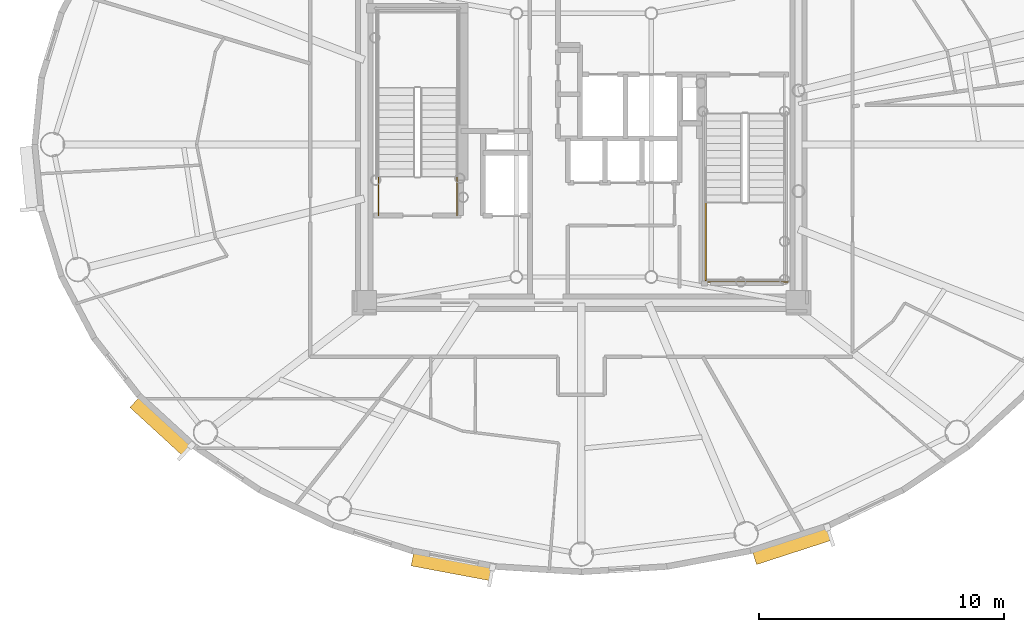
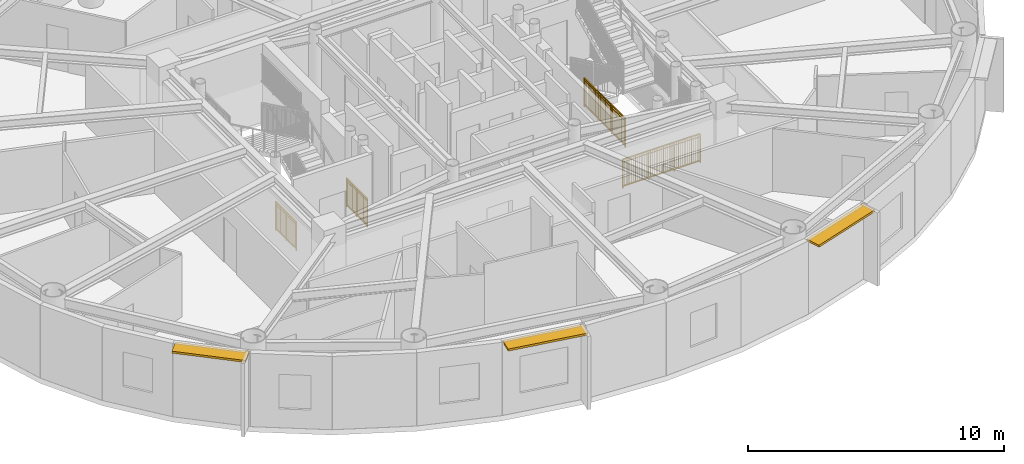
# One storey, part 11 of 17: 4 railings, 3 shading devices.
"""IFC4 building model written with IfcOpenShell, lengths in metres."""

import ifcopenshell
import ifcopenshell.guid

model = None  # the IFC model being written
_history = None  # IfcOwnerHistory: only IFC2X3 demands one
_inside = {}  # id of a spatial element -> (the spatial element, [elements in it])
_under = {}  # id of a project, library or spatial element -> (it, [spatial elements below it])
_declared = {}  # id of a project -> (the project, [libraries it declares])
_typed = {}  # id of a type object -> (the type object, [elements of that type])
_made_of = {}  # id of a material, layer set ... -> (it, [elements and type objects made of it])


def new_model(schema):
    """Start an empty IFC model of exactly this schema.

    Asked for "IFC4X3", IfcOpenShell would pick the latest addendum, in which some entities
    have other attributes; the version numbers below select the first issue.
    IFC2X3 requires an IfcOwnerHistory on every rooted entity: one is made here for all.
    """
    global model, _history
    if schema == "IFC4X3":
        model = ifcopenshell.file(schema_version=(4, 3, 0, 0))
    else:
        model = ifcopenshell.file(schema=schema)
    _inside.clear()
    _under.clear()
    _declared.clear()
    _typed.clear()
    _made_of.clear()
    _history = None
    if model.schema == "IFC2X3":
        org = make("IfcOrganization", Name="unknown")
        user = make(
            "IfcPersonAndOrganization",
            ThePerson=make("IfcPerson", FamilyName="unknown"),
            TheOrganization=org,
        )
        app = make(
            "IfcApplication",
            ApplicationDeveloper=org,
            Version="unknown",
            ApplicationFullName="unknown",
            ApplicationIdentifier="unknown",
        )
        _history = make(
            "IfcOwnerHistory",
            OwningUser=user,
            OwningApplication=app,
            ChangeAction="ADDED",
            CreationDate=0,
        )
    return model


def make(cls, **values):
    """One entity of the class cls with the attributes given. An attribute that is None is left unset."""
    return model.create_entity(
        cls, **{name: value for name, value in values.items() if value is not None}
    )


def rooted(cls, **values):
    """An entity with a GlobalId (a new one), such as an element, a storey or a relation."""
    return make(cls, GlobalId=ifcopenshell.guid.new(), OwnerHistory=_history, **values)


def si_unit(unit_type, name, prefix=None):
    """IfcSIUnit, for example si_unit("LENGTHUNIT", "METRE", prefix="MILLI")."""
    return make("IfcSIUnit", UnitType=unit_type, Prefix=prefix, Name=name)


def assignment(units):
    """IfcUnitAssignment: the units of a project."""
    return None if units is None else make("IfcUnitAssignment", Units=units)


def point(xyz):
    """IfcCartesianPoint."""
    return None if xyz is None else make("IfcCartesianPoint", Coordinates=xyz)


def direction(xyz):
    """IfcDirection."""
    return None if xyz is None else make("IfcDirection", DirectionRatios=xyz)


def frame(location, z_axis=None, x_axis=None):
    """IfcAxis2Placement3D, a coordinate frame: its origin and axes. An axis left out is left unset."""
    return make(
        "IfcAxis2Placement3D",
        Location=point(location),
        Axis=direction(z_axis),
        RefDirection=direction(x_axis),
    )


def frame_2d(location, x_axis=None):
    """IfcAxis2Placement2D, a coordinate frame in the plane: its origin and x axis."""
    return make(
        "IfcAxis2Placement2D", Location=point(location), RefDirection=direction(x_axis)
    )


def origin():
    """The frame at (0, 0, 0) with its axes left unset."""
    return frame((0.0, 0.0, 0.0))


def origin_2d():
    """The frame at (0, 0) in the plane with its x axis left unset."""
    return frame_2d((0.0, 0.0))


def place(relative_to, where):
    """IfcLocalPlacement: puts the frame where relative to a parent placement (None: the world)."""
    return make(
        "IfcLocalPlacement", PlacementRelTo=relative_to, RelativePlacement=where
    )


def context(
    kind, dimensions, precision=None, world=None, true_north=None, identifier=None
):
    """IfcGeometricRepresentationContext, for example the 3D "Model" context."""
    return make(
        "IfcGeometricRepresentationContext",
        ContextIdentifier=identifier,
        ContextType=kind,
        CoordinateSpaceDimension=dimensions,
        Precision=precision,
        WorldCoordinateSystem=world,
        TrueNorth=true_north,
    )


def subcontext(parent, identifier, kind, view, scale=None):
    """IfcGeometricRepresentationSubContext, for example "Body" below "Model"."""
    return make(
        "IfcGeometricRepresentationSubContext",
        ContextIdentifier=identifier,
        ContextType=kind,
        ParentContext=parent,
        TargetScale=scale,
        TargetView=view,
    )


def project(units=None, contexts=None):
    """IfcProject with its units and contexts."""
    return rooted(
        "IfcProject",
        Name="project",
        RepresentationContexts=contexts,
        UnitsInContext=assignment(units),
    )


def spatial(cls, under=None, at=None, **own):
    """A site, building, storey or space (cls), placed at a placement, below another one or the project."""
    s = rooted(cls, ObjectPlacement=at, **own)
    if under is not None:
        _under.setdefault(under.id(), (under, []))[1].append(s)
    return s


def profile(cls, at=None, kind="AREA", **sizes):
    """A parametric profile (cls). Its sizes go by their IFC names, for example OverallWidth=200.0."""
    return make(cls, ProfileType=kind, Position=at, **sizes)


def rectangle(**sizes):
    """IfcRectangleProfileDef."""
    return profile("IfcRectangleProfileDef", **sizes)


def extrude(swept, where, along, depth):
    """IfcExtrudedAreaSolid: the profile swept, set in the frame where, extruded along a direction by depth."""
    return make(
        "IfcExtrudedAreaSolid",
        SweptArea=swept,
        Position=where,
        ExtrudedDirection=direction(along),
        Depth=depth,
    )


def shape(context_of_items, identifier, shape_type, items):
    """IfcShapeRepresentation: the items that make up one representation, for example the "Body"."""
    return make(
        "IfcShapeRepresentation",
        ContextOfItems=context_of_items,
        RepresentationIdentifier=identifier,
        RepresentationType=shape_type,
        Items=items,
    )


def source(mapping_origin, context_of_items, identifier, shape_type, items):
    """IfcRepresentationMap: a shape defined once, which mapped items show again and again."""
    return make(
        "IfcRepresentationMap",
        MappingOrigin=mapping_origin,
        MappedRepresentation=shape(context_of_items, identifier, shape_type, items),
    )


def transform(
    local_origin,
    x_axis=None,
    y_axis=None,
    z_axis=None,
    scale=None,
    scale2=None,
    scale3=None,
    uniform=True,
):
    """IfcCartesianTransformationOperator3D, or its non-uniform kind. x_axis, y_axis, z_axis: its Axis1, 2, 3."""
    if uniform:
        return make(
            "IfcCartesianTransformationOperator3D",
            Axis1=direction(x_axis),
            Axis2=direction(y_axis),
            LocalOrigin=point(local_origin),
            Scale=scale,
            Axis3=direction(z_axis),
        )
    return make(
        "IfcCartesianTransformationOperator3DnonUniform",
        Axis1=direction(x_axis),
        Axis2=direction(y_axis),
        LocalOrigin=point(local_origin),
        Scale=scale,
        Axis3=direction(z_axis),
        Scale2=scale2,
        Scale3=scale3,
    )


def mapped(mapping_source, mapping_target):
    """IfcMappedItem: shows the shape of a source again, moved by a transform."""
    return make(
        "IfcMappedItem", MappingSource=mapping_source, MappingTarget=mapping_target
    )


def material(Name=None, Category=None):
    """IfcMaterial."""
    return make("IfcMaterial", Name=Name, Category=Category)


def layer(
    of_material, thickness, ventilated=None, Name=None, Category=None, Priority=None
):
    """IfcMaterialLayer: one layer of a wall or slab, of a material (None: an air gap)."""
    return make(
        "IfcMaterialLayer",
        Material=of_material,
        LayerThickness=thickness,
        IsVentilated=ventilated,
        Name=Name,
        Category=Category,
        Priority=Priority,
    )


def layer_set(layers, Name=None):
    """IfcMaterialLayerSet."""
    return make("IfcMaterialLayerSet", MaterialLayers=layers, LayerSetName=Name)


def made_of(thing, what):
    """Note that an element or type object is made of a material, layer set ...; save() writes the relation."""
    if what is not None:
        _made_of.setdefault(what.id(), (what, []))[1].append(thing)
    return thing


def type_object(cls, material=None, **own):
    """A type object (cls), such as IfcWallType, which elements share."""
    return made_of(rooted(cls, **own), material)


def element(
    cls,
    number,
    at=None,
    inside=None,
    cuts=None,
    type_object=None,
    material=None,
    context=None,
    identifier="Body",
    shape_type=None,
    held_by="IfcProductDefinitionShape",
    body=None,
    shapes=None,
    **own,
):
    """One element of the class cls, such as IfcWall. Its Tag is "e" and its number.

    at: its placement. inside: the storey or other place that contains it. cuts: it is an
    opening in that element (IfcRelVoidsElement). A single representation is given by context,
    identifier, shape_type and body (its items); several are given by shapes. held_by: the class
    of the entity that holds the representations. save() writes the other relations.
    """
    e = rooted(cls, Tag="e%d" % number, ObjectPlacement=at, **own)
    if body is not None:
        shapes = [shape(context, identifier, shape_type, body)]
    if shapes is not None:
        e.Representation = make(held_by, Representations=shapes)
    if inside is not None:
        _inside.setdefault(inside.id(), (inside, []))[1].append(e)
    if cuts is not None:
        rooted(
            "IfcRelVoidsElement", RelatingBuildingElement=cuts, RelatedOpeningElement=e
        )
    if type_object is not None:
        _typed.setdefault(type_object.id(), (type_object, []))[1].append(e)
    return made_of(e, material)


def aggregate(whole, parts):
    """IfcRelAggregates: a whole, such as a stair, and the parts it consists of."""
    return rooted("IfcRelAggregates", RelatingObject=whole, RelatedObjects=parts)


def save(model, path):
    """Write the relations noted so far, then the file.

    IfcRelAggregates (storeys below a building ...), IfcRelContainedInSpatialStructure (elements
    in a storey), IfcRelDefinesByType, IfcRelAssociatesMaterial and IfcRelDeclares: one each for
    every whole, place, type object, material and project.
    """
    for whole, parts in _under.values():
        aggregate(whole, parts)
    for where, things in _inside.values():
        rooted(
            "IfcRelContainedInSpatialStructure",
            RelatedElements=things,
            RelatingStructure=where,
        )
    for kind, things in _typed.values():
        rooted("IfcRelDefinesByType", RelatedObjects=things, RelatingType=kind)
    for what, things in _made_of.values():
        rooted("IfcRelAssociatesMaterial", RelatedObjects=things, RelatingMaterial=what)
    for by, libraries in _declared.values():
        rooted("IfcRelDeclares", RelatingContext=by, RelatedDefinitions=libraries)
    model.write(path)


model = new_model("IFC4")

# Units and contexts
model_context = context("Model", 3, precision=1e-05, world=origin(), true_north=direction((0.0, 1.0)))
body_context = subcontext(model_context, "Body", "Model", "MODEL_VIEW")
ifc_project = project(units=[si_unit("LENGTHUNIT", "METRE"), si_unit("AREAUNIT", "SQUARE_METRE"), si_unit("VOLUMEUNIT", "CUBIC_METRE"), si_unit("PLANEANGLEUNIT", "RADIAN"), si_unit("MASSUNIT", "GRAM", prefix="KILO")], contexts=[model_context])

# Site, building, storey
site_placement = place(None, origin())
site = spatial("IfcSite", under=ifc_project, at=site_placement, CompositionType="ELEMENT")
building_placement = place(site_placement, origin())
building = spatial("IfcBuilding", under=site, at=building_placement, Name="Linh Dai School and Residence Tower", CompositionType="ELEMENT")
storey_placement = place(building_placement, frame((0.0, 0.0, 276.75)))
storey = spatial("IfcBuildingStorey", under=building, at=storey_placement, Name="L68", CompositionType="ELEMENT", Elevation=276.75)

# Shading devices
ifc_material_1 = material(Name="Terracotta Ceramic Sunshade", Category="masonry")
ifc_layer = layer(ifc_material_1, 0.10009765625)
ifc_layer_set = layer_set([ifc_layer], Name="Terracotta Ceramic Sunshade")
shading_device_type = type_object("IfcShadingDeviceType", Name="SHD-TC-650", PredefinedType="USERDEFINED", material=ifc_layer_set)
shared_shape_1 = source(origin(), body_context, "Body", "SweptSolid", [
    extrude(rectangle(XDim=2.9541015625, YDim=0.64990234375, at=origin_2d()), origin(), (0.0, 0.0, 1.0), 0.10009765625),
])
shading_device_1_placement = place(storey_placement, frame((18.9111328125, 15.525390625, 3.3798828125), z_axis=(0.0, 0.0, 1.0), x_axis=(-0.737104227651, 0.675779074535, 0.0)))
element("IfcShadingDevice", 1, at=shading_device_1_placement, inside=storey, type_object=shading_device_type, Name="L68 Terracotta Horizontal Sunshade Band 25", ObjectType="SUNSHADE", PredefinedType="USERDEFINED", context=body_context, shape_type="MappedRepresentation", body=[
    mapped(shared_shape_1, transform((0.0, 0.0, 0.0), x_axis=(1.0, 0.0, 0.0), y_axis=(0.0, 1.0, 0.0), z_axis=(0.0, 0.0, 1.0), scale=1.0)),
])
shared_shape_2 = source(origin(), body_context, "Body", "SweptSolid", [
    extrude(rectangle(XDim=3.323486328125, YDim=0.64990234375, at=origin_2d()), origin(), (0.0, 0.0, 1.0), 0.10009765625),
])
shading_device_2_placement = place(storey_placement, frame((30.75732421875, 9.839599609375, 3.3798828125), z_axis=(0.0, 0.0, 1.0), x_axis=(-0.982785325002, 0.184751197452, 0.0)))
element("IfcShadingDevice", 2, at=shading_device_2_placement, inside=storey, type_object=shading_device_type, Name="L68 Terracotta Horizontal Sunshade Band 29", ObjectType="SUNSHADE", PredefinedType="USERDEFINED", context=body_context, shape_type="MappedRepresentation", body=[
    mapped(shared_shape_2, transform((0.0, 0.0, 0.0), x_axis=(1.0, 0.0, 0.0), y_axis=(0.0, 1.0, 0.0), z_axis=(0.0, 0.0, 1.0), scale=1.0)),
])
shared_shape_3 = source(origin(), body_context, "Body", "SweptSolid", [
    extrude(rectangle(XDim=3.26171875, YDim=0.64990234375, at=origin_2d()), origin(), (0.0, 0.0, 1.0), 0.10009765625),
])
shading_device_3_placement = place(storey_placement, frame((44.594970703125, 10.692626953125, 3.3798828125), z_axis=(0.0, 0.0, 1.0), x_axis=(-0.951218243545, -0.308518805176, 0.0)))
element("IfcShadingDevice", 3, at=shading_device_3_placement, inside=storey, type_object=shading_device_type, Name="L68 Terracotta Horizontal Sunshade Band 33", ObjectType="SUNSHADE", PredefinedType="USERDEFINED", context=body_context, shape_type="MappedRepresentation", body=[
    mapped(shared_shape_3, transform((0.0, 0.0, 0.0), x_axis=(1.0, 0.0, 0.0), y_axis=(0.0, 1.0, 0.0), z_axis=(0.0, 0.0, 1.0), scale=1.0)),
])

# Railings
ifc_material_2 = material(Name="Structural Steel S355JR", Category="steel")
railing_type = type_object("IfcRailingType", Name="RL-ST-GUARD-1400", PredefinedType="GUARDRAIL", material=ifc_material_2)
shared_shape_4 = source(origin(), body_context, "Body", "SweptSolid", [
    extrude(rectangle(XDim=0.048095703125, YDim=0.048095703125, at=origin_2d()), frame((0.0, 0.0, 1.3759765625), z_axis=(0.0, 1.0, 0.0), x_axis=(-1.0, 0.0, 0.0)), (0.0, 0.0, 1.0), 1.599853515625),
    extrude(rectangle(XDim=0.048095703125, YDim=0.048095703125, at=origin_2d()), frame((0.0, 0.0, 0.10009765625), z_axis=(0.0, 1.0, 0.0), x_axis=(-1.0, 0.0, 0.0)), (0.0, 0.0, 1.0), 1.599853515625),
    extrude(rectangle(XDim=0.030029296875, YDim=0.030029296875, at=origin_2d()), frame((0.0, 0.0, 1.239990234375), z_axis=(0.0, 1.0, 0.0), x_axis=(-1.0, 0.0, 0.0)), (0.0, 0.0, 1.0), 1.599853515625),
    extrude(rectangle(XDim=0.02001953125, YDim=0.02001953125, at=origin_2d()), frame((0.0, 0.093994140625, 0.10009765625)), (0.0, 0.0, 1.0), 1.251708984375),
    extrude(rectangle(XDim=0.02001953125, YDim=0.02001953125, at=origin_2d()), frame((0.0, 0.188232421875, 0.10009765625)), (0.0, 0.0, 1.0), 1.251708984375),
    extrude(rectangle(XDim=0.02001953125, YDim=0.02001953125, at=origin_2d()), frame((0.0, 0.2822265625, 0.10009765625)), (0.0, 0.0, 1.0), 1.251708984375),
    extrude(rectangle(XDim=0.02001953125, YDim=0.02001953125, at=origin_2d()), frame((0.0, 0.37646484375, 0.10009765625)), (0.0, 0.0, 1.0), 1.251708984375),
    extrude(rectangle(XDim=0.02001953125, YDim=0.02001953125, at=origin_2d()), frame((0.0, 0.470458984375, 0.10009765625)), (0.0, 0.0, 1.0), 1.251708984375),
    extrude(rectangle(XDim=0.02001953125, YDim=0.02001953125, at=origin_2d()), frame((0.0, 0.564697265625, 0.10009765625)), (0.0, 0.0, 1.0), 1.251708984375),
    extrude(rectangle(XDim=0.02001953125, YDim=0.02001953125, at=origin_2d()), frame((0.0, 0.65869140625, 0.10009765625)), (0.0, 0.0, 1.0), 1.251708984375),
    extrude(rectangle(XDim=0.02001953125, YDim=0.02001953125, at=origin_2d()), frame((0.0, 0.7529296875, 0.10009765625)), (0.0, 0.0, 1.0), 1.251708984375),
    extrude(rectangle(XDim=0.02001953125, YDim=0.02001953125, at=origin_2d()), frame((0.0, 0.846923828125, 0.10009765625)), (0.0, 0.0, 1.0), 1.251708984375),
    extrude(rectangle(XDim=0.02001953125, YDim=0.02001953125, at=origin_2d()), frame((0.0, 0.941162109375, 0.10009765625)), (0.0, 0.0, 1.0), 1.251708984375),
    extrude(rectangle(XDim=0.02001953125, YDim=0.02001953125, at=origin_2d()), frame((0.0, 1.03515625, 0.10009765625)), (0.0, 0.0, 1.0), 1.251708984375),
    extrude(rectangle(XDim=0.02001953125, YDim=0.02001953125, at=origin_2d()), frame((0.0, 1.12939453125, 0.10009765625)), (0.0, 0.0, 1.0), 1.251708984375),
    extrude(rectangle(XDim=0.02001953125, YDim=0.02001953125, at=origin_2d()), frame((0.0, 1.223388671875, 0.10009765625)), (0.0, 0.0, 1.0), 1.251708984375),
    extrude(rectangle(XDim=0.02001953125, YDim=0.02001953125, at=origin_2d()), frame((0.0, 1.317626953125, 0.10009765625)), (0.0, 0.0, 1.0), 1.251708984375),
    extrude(rectangle(XDim=0.02001953125, YDim=0.02001953125, at=origin_2d()), frame((0.0, 1.41162109375, 0.10009765625)), (0.0, 0.0, 1.0), 1.251708984375),
    extrude(rectangle(XDim=0.02001953125, YDim=0.02001953125, at=origin_2d()), frame((0.0, 1.505859375, 0.10009765625)), (0.0, 0.0, 1.0), 1.251708984375),
    extrude(rectangle(XDim=0.0419921875, YDim=0.0419921875, at=origin_2d()), origin(), (0.0, 0.0, 1.0), 1.3759765625),
    extrude(rectangle(XDim=0.0419921875, YDim=0.0419921875, at=origin_2d()), frame((0.0, 0.7998046875, 0.0)), (0.0, 0.0, 1.0), 1.3759765625),
    extrude(rectangle(XDim=0.0419921875, YDim=0.0419921875, at=origin_2d()), frame((0.0, 1.599853515625, 0.0)), (0.0, 0.0, 1.0), 1.3759765625),
])
for number, where, name in (
    (4, (30.929931640625, 24.10009765625, 0.0), "L68 ST1 stair guard 8"),
    (5, (27.72998046875, 24.10009765625, 0.0), "L68 ST1 stair guard 9"),
):
    element("IfcRailing", number, at=place(storey_placement, frame(where)), inside=storey, type_object=railing_type, Name=name, PredefinedType="GUARDRAIL", context=body_context, shape_type="MappedRepresentation", body=[
        mapped(shared_shape_4, transform((0.0, 0.0, 0.0), x_axis=(1.0, 0.0, 0.0), y_axis=(0.0, 1.0, 0.0), z_axis=(0.0, 0.0, 1.0), scale=1.0)),
    ])
shared_shape_5 = source(origin(), body_context, "Body", "SweptSolid", [
    extrude(rectangle(XDim=0.048095703125, YDim=0.048095703125, at=origin_2d()), frame((0.0, 0.0, 1.3759765625), z_axis=(1.0, 0.0, 0.0), x_axis=(0.0, 1.0, 0.0)), (0.0, 0.0, 1.0), 3.5),
    extrude(rectangle(XDim=0.048095703125, YDim=0.048095703125, at=origin_2d()), frame((0.0, 0.0, 0.10009765625), z_axis=(1.0, 0.0, 0.0), x_axis=(0.0, 1.0, 0.0)), (0.0, 0.0, 1.0), 3.5),
    extrude(rectangle(XDim=0.030029296875, YDim=0.030029296875, at=origin_2d()), frame((0.0, 0.0, 1.239990234375), z_axis=(1.0, 0.0, 0.0), x_axis=(0.0, 1.0, 0.0)), (0.0, 0.0, 1.0), 3.5),
    extrude(rectangle(XDim=0.02001953125, YDim=0.02001953125, at=origin_2d()), frame((0.09716796875, 0.0, 0.10009765625)), (0.0, 0.0, 1.0), 1.251708984375),
    extrude(rectangle(XDim=0.02001953125, YDim=0.02001953125, at=origin_2d()), frame((0.1943359375, 0.0, 0.10009765625)), (0.0, 0.0, 1.0), 1.251708984375),
    extrude(rectangle(XDim=0.02001953125, YDim=0.02001953125, at=origin_2d()), frame((0.291748046875, 0.0, 0.10009765625)), (0.0, 0.0, 1.0), 1.251708984375),
    extrude(rectangle(XDim=0.02001953125, YDim=0.02001953125, at=origin_2d()), frame((0.388916015625, 0.0, 0.10009765625)), (0.0, 0.0, 1.0), 1.251708984375),
    extrude(rectangle(XDim=0.02001953125, YDim=0.02001953125, at=origin_2d()), frame((0.486083984375, 0.0, 0.10009765625)), (0.0, 0.0, 1.0), 1.251708984375),
    extrude(rectangle(XDim=0.02001953125, YDim=0.02001953125, at=origin_2d()), frame((0.583251953125, 0.0, 0.10009765625)), (0.0, 0.0, 1.0), 1.251708984375),
    extrude(rectangle(XDim=0.02001953125, YDim=0.02001953125, at=origin_2d()), frame((0.6806640625, 0.0, 0.10009765625)), (0.0, 0.0, 1.0), 1.251708984375),
    extrude(rectangle(XDim=0.02001953125, YDim=0.02001953125, at=origin_2d()), frame((0.77783203125, 0.0, 0.10009765625)), (0.0, 0.0, 1.0), 1.251708984375),
    extrude(rectangle(XDim=0.02001953125, YDim=0.02001953125, at=origin_2d()), frame((0.875, 0.0, 0.10009765625)), (0.0, 0.0, 1.0), 1.251708984375),
    extrude(rectangle(XDim=0.02001953125, YDim=0.02001953125, at=origin_2d()), frame((0.97216796875, 0.0, 0.10009765625)), (0.0, 0.0, 1.0), 1.251708984375),
    extrude(rectangle(XDim=0.02001953125, YDim=0.02001953125, at=origin_2d()), frame((1.0693359375, 0.0, 0.10009765625)), (0.0, 0.0, 1.0), 1.251708984375),
    extrude(rectangle(XDim=0.02001953125, YDim=0.02001953125, at=origin_2d()), frame((1.263916015625, 0.0, 0.10009765625)), (0.0, 0.0, 1.0), 1.251708984375),
    extrude(rectangle(XDim=0.02001953125, YDim=0.02001953125, at=origin_2d()), frame((1.361083984375, 0.0, 0.10009765625)), (0.0, 0.0, 1.0), 1.251708984375),
    extrude(rectangle(XDim=0.02001953125, YDim=0.02001953125, at=origin_2d()), frame((1.458251953125, 0.0, 0.10009765625)), (0.0, 0.0, 1.0), 1.251708984375),
    extrude(rectangle(XDim=0.02001953125, YDim=0.02001953125, at=origin_2d()), frame((1.5556640625, 0.0, 0.10009765625)), (0.0, 0.0, 1.0), 1.251708984375),
    extrude(rectangle(XDim=0.02001953125, YDim=0.02001953125, at=origin_2d()), frame((1.65283203125, 0.0, 0.10009765625)), (0.0, 0.0, 1.0), 1.251708984375),
    extrude(rectangle(XDim=0.02001953125, YDim=0.02001953125, at=origin_2d()), frame((1.75, 0.0, 0.10009765625)), (0.0, 0.0, 1.0), 1.251708984375),
    extrude(rectangle(XDim=0.02001953125, YDim=0.02001953125, at=origin_2d()), frame((1.84716796875, 0.0, 0.10009765625)), (0.0, 0.0, 1.0), 1.251708984375),
    extrude(rectangle(XDim=0.02001953125, YDim=0.02001953125, at=origin_2d()), frame((1.9443359375, 0.0, 0.10009765625)), (0.0, 0.0, 1.0), 1.251708984375),
    extrude(rectangle(XDim=0.02001953125, YDim=0.02001953125, at=origin_2d()), frame((2.041748046875, 0.0, 0.10009765625)), (0.0, 0.0, 1.0), 1.251708984375),
    extrude(rectangle(XDim=0.02001953125, YDim=0.02001953125, at=origin_2d()), frame((2.138916015625, 0.0, 0.10009765625)), (0.0, 0.0, 1.0), 1.251708984375),
    extrude(rectangle(XDim=0.02001953125, YDim=0.02001953125, at=origin_2d()), frame((2.236083984375, 0.0, 0.10009765625)), (0.0, 0.0, 1.0), 1.251708984375),
    extrude(rectangle(XDim=0.02001953125, YDim=0.02001953125, at=origin_2d()), frame((2.4306640625, 0.0, 0.10009765625)), (0.0, 0.0, 1.0), 1.251708984375),
    extrude(rectangle(XDim=0.02001953125, YDim=0.02001953125, at=origin_2d()), frame((2.52783203125, 0.0, 0.10009765625)), (0.0, 0.0, 1.0), 1.251708984375),
    extrude(rectangle(XDim=0.02001953125, YDim=0.02001953125, at=origin_2d()), frame((2.625, 0.0, 0.10009765625)), (0.0, 0.0, 1.0), 1.251708984375),
    extrude(rectangle(XDim=0.02001953125, YDim=0.02001953125, at=origin_2d()), frame((2.72216796875, 0.0, 0.10009765625)), (0.0, 0.0, 1.0), 1.251708984375),
    extrude(rectangle(XDim=0.02001953125, YDim=0.02001953125, at=origin_2d()), frame((2.8193359375, 0.0, 0.10009765625)), (0.0, 0.0, 1.0), 1.251708984375),
    extrude(rectangle(XDim=0.02001953125, YDim=0.02001953125, at=origin_2d()), frame((2.916748046875, 0.0, 0.10009765625)), (0.0, 0.0, 1.0), 1.251708984375),
    extrude(rectangle(XDim=0.02001953125, YDim=0.02001953125, at=origin_2d()), frame((3.013916015625, 0.0, 0.10009765625)), (0.0, 0.0, 1.0), 1.251708984375),
    extrude(rectangle(XDim=0.02001953125, YDim=0.02001953125, at=origin_2d()), frame((3.111083984375, 0.0, 0.10009765625)), (0.0, 0.0, 1.0), 1.251708984375),
    extrude(rectangle(XDim=0.02001953125, YDim=0.02001953125, at=origin_2d()), frame((3.208251953125, 0.0, 0.10009765625)), (0.0, 0.0, 1.0), 1.251708984375),
    extrude(rectangle(XDim=0.02001953125, YDim=0.02001953125, at=origin_2d()), frame((3.3056640625, 0.0, 0.10009765625)), (0.0, 0.0, 1.0), 1.251708984375),
    extrude(rectangle(XDim=0.02001953125, YDim=0.02001953125, at=origin_2d()), frame((3.40283203125, 0.0, 0.10009765625)), (0.0, 0.0, 1.0), 1.251708984375),
    extrude(rectangle(XDim=0.0419921875, YDim=0.0419921875, at=origin_2d()), origin(), (0.0, 0.0, 1.0), 1.3759765625),
    extrude(rectangle(XDim=0.0419921875, YDim=0.0419921875, at=origin_2d()), frame((1.166748046875, 0.0, 0.0)), (0.0, 0.0, 1.0), 1.3759765625),
    extrude(rectangle(XDim=0.0419921875, YDim=0.0419921875, at=origin_2d()), frame((2.333251953125, 0.0, 0.0)), (0.0, 0.0, 1.0), 1.3759765625),
    extrude(rectangle(XDim=0.0419921875, YDim=0.0419921875, at=origin_2d()), frame((3.5, 0.0, 0.0)), (0.0, 0.0, 1.0), 1.3759765625),
])
railing_1_placement = place(storey_placement, frame((40.919921875, 21.39990234375, 0.0)))
element("IfcRailing", 6, at=railing_1_placement, inside=storey, type_object=railing_type, Name="L68 ST2 stair guard 12", PredefinedType="GUARDRAIL", context=body_context, shape_type="MappedRepresentation", body=[
    mapped(shared_shape_5, transform((0.0, 0.0, 0.0), x_axis=(1.0, 0.0, 0.0), y_axis=(0.0, 1.0, 0.0), z_axis=(0.0, 0.0, 1.0), scale=1.0)),
])
shared_shape_6 = source(origin(), body_context, "Body", "SweptSolid", [
    extrude(rectangle(XDim=0.048095703125, YDim=0.048095703125, at=origin_2d()), frame((0.0, 0.0, 1.3759765625), z_axis=(0.0, -1.0, 0.0), x_axis=(1.0, 0.0, 0.0)), (0.0, 0.0, 1.0), 3.199951171875),
    extrude(rectangle(XDim=0.048095703125, YDim=0.048095703125, at=origin_2d()), frame((0.0, 0.0, 0.10009765625), z_axis=(0.0, -1.0, 0.0), x_axis=(1.0, 0.0, 0.0)), (0.0, 0.0, 1.0), 3.199951171875),
    extrude(rectangle(XDim=0.030029296875, YDim=0.030029296875, at=origin_2d()), frame((0.0, 0.0, 1.239990234375), z_axis=(0.0, -1.0, 0.0), x_axis=(1.0, 0.0, 0.0)), (0.0, 0.0, 1.0), 3.199951171875),
    extrude(rectangle(XDim=0.02001953125, YDim=0.02001953125, at=origin_2d()), frame((0.0, -0.096923828125, 0.10009765625)), (0.0, 0.0, 1.0), 1.251708984375),
    extrude(rectangle(XDim=0.02001953125, YDim=0.02001953125, at=origin_2d()), frame((0.0, -0.19384765625, 0.10009765625)), (0.0, 0.0, 1.0), 1.251708984375),
    extrude(rectangle(XDim=0.02001953125, YDim=0.02001953125, at=origin_2d()), frame((0.0, -0.291015625, 0.10009765625)), (0.0, 0.0, 1.0), 1.251708984375),
    extrude(rectangle(XDim=0.02001953125, YDim=0.02001953125, at=origin_2d()), frame((0.0, -0.387939453125, 0.10009765625)), (0.0, 0.0, 1.0), 1.251708984375),
    extrude(rectangle(XDim=0.02001953125, YDim=0.02001953125, at=origin_2d()), frame((0.0, -0.48486328125, 0.10009765625)), (0.0, 0.0, 1.0), 1.251708984375),
    extrude(rectangle(XDim=0.02001953125, YDim=0.02001953125, at=origin_2d()), frame((0.0, -0.581787109375, 0.10009765625)), (0.0, 0.0, 1.0), 1.251708984375),
    extrude(rectangle(XDim=0.02001953125, YDim=0.02001953125, at=origin_2d()), frame((0.0, -0.6787109375, 0.10009765625)), (0.0, 0.0, 1.0), 1.251708984375),
    extrude(rectangle(XDim=0.02001953125, YDim=0.02001953125, at=origin_2d()), frame((0.0, -0.775634765625, 0.10009765625)), (0.0, 0.0, 1.0), 1.251708984375),
    extrude(rectangle(XDim=0.02001953125, YDim=0.02001953125, at=origin_2d()), frame((0.0, -0.872802734375, 0.10009765625)), (0.0, 0.0, 1.0), 1.251708984375),
    extrude(rectangle(XDim=0.02001953125, YDim=0.02001953125, at=origin_2d()), frame((0.0, -0.9697265625, 0.10009765625)), (0.0, 0.0, 1.0), 1.251708984375),
    extrude(rectangle(XDim=0.02001953125, YDim=0.02001953125, at=origin_2d()), frame((0.0, -1.16357421875, 0.10009765625)), (0.0, 0.0, 1.0), 1.251708984375),
    extrude(rectangle(XDim=0.02001953125, YDim=0.02001953125, at=origin_2d()), frame((0.0, -1.260498046875, 0.10009765625)), (0.0, 0.0, 1.0), 1.251708984375),
    extrude(rectangle(XDim=0.02001953125, YDim=0.02001953125, at=origin_2d()), frame((0.0, -1.357666015625, 0.10009765625)), (0.0, 0.0, 1.0), 1.251708984375),
    extrude(rectangle(XDim=0.02001953125, YDim=0.02001953125, at=origin_2d()), frame((0.0, -1.45458984375, 0.10009765625)), (0.0, 0.0, 1.0), 1.251708984375),
    extrude(rectangle(XDim=0.02001953125, YDim=0.02001953125, at=origin_2d()), frame((0.0, -1.551513671875, 0.10009765625)), (0.0, 0.0, 1.0), 1.251708984375),
    extrude(rectangle(XDim=0.02001953125, YDim=0.02001953125, at=origin_2d()), frame((0.0, -1.6484375, 0.10009765625)), (0.0, 0.0, 1.0), 1.251708984375),
    extrude(rectangle(XDim=0.02001953125, YDim=0.02001953125, at=origin_2d()), frame((0.0, -1.745361328125, 0.10009765625)), (0.0, 0.0, 1.0), 1.251708984375),
    extrude(rectangle(XDim=0.02001953125, YDim=0.02001953125, at=origin_2d()), frame((0.0, -1.84228515625, 0.10009765625)), (0.0, 0.0, 1.0), 1.251708984375),
    extrude(rectangle(XDim=0.02001953125, YDim=0.02001953125, at=origin_2d()), frame((0.0, -1.939453125, 0.10009765625)), (0.0, 0.0, 1.0), 1.251708984375),
    extrude(rectangle(XDim=0.02001953125, YDim=0.02001953125, at=origin_2d()), frame((0.0, -2.036376953125, 0.10009765625)), (0.0, 0.0, 1.0), 1.251708984375),
    extrude(rectangle(XDim=0.02001953125, YDim=0.02001953125, at=origin_2d()), frame((0.0, -2.230224609375, 0.10009765625)), (0.0, 0.0, 1.0), 1.251708984375),
    extrude(rectangle(XDim=0.02001953125, YDim=0.02001953125, at=origin_2d()), frame((0.0, -2.3271484375, 0.10009765625)), (0.0, 0.0, 1.0), 1.251708984375),
    extrude(rectangle(XDim=0.02001953125, YDim=0.02001953125, at=origin_2d()), frame((0.0, -2.42431640625, 0.10009765625)), (0.0, 0.0, 1.0), 1.251708984375),
    extrude(rectangle(XDim=0.02001953125, YDim=0.02001953125, at=origin_2d()), frame((0.0, -2.521240234375, 0.10009765625)), (0.0, 0.0, 1.0), 1.251708984375),
    extrude(rectangle(XDim=0.02001953125, YDim=0.02001953125, at=origin_2d()), frame((0.0, -2.6181640625, 0.10009765625)), (0.0, 0.0, 1.0), 1.251708984375),
    extrude(rectangle(XDim=0.02001953125, YDim=0.02001953125, at=origin_2d()), frame((0.0, -2.715087890625, 0.10009765625)), (0.0, 0.0, 1.0), 1.251708984375),
    extrude(rectangle(XDim=0.02001953125, YDim=0.02001953125, at=origin_2d()), frame((0.0, -2.81201171875, 0.10009765625)), (0.0, 0.0, 1.0), 1.251708984375),
    extrude(rectangle(XDim=0.02001953125, YDim=0.02001953125, at=origin_2d()), frame((0.0, -2.908935546875, 0.10009765625)), (0.0, 0.0, 1.0), 1.251708984375),
    extrude(rectangle(XDim=0.02001953125, YDim=0.02001953125, at=origin_2d()), frame((0.0, -3.006103515625, 0.10009765625)), (0.0, 0.0, 1.0), 1.251708984375),
    extrude(rectangle(XDim=0.02001953125, YDim=0.02001953125, at=origin_2d()), frame((0.0, -3.10302734375, 0.10009765625)), (0.0, 0.0, 1.0), 1.251708984375),
    extrude(rectangle(XDim=0.0419921875, YDim=0.0419921875, at=origin_2d()), origin(), (0.0, 0.0, 1.0), 1.3759765625),
    extrude(rectangle(XDim=0.0419921875, YDim=0.0419921875, at=origin_2d()), frame((0.0, -1.066650390625, 0.0)), (0.0, 0.0, 1.0), 1.3759765625),
    extrude(rectangle(XDim=0.0419921875, YDim=0.0419921875, at=origin_2d()), frame((0.0, -2.13330078125, 0.0)), (0.0, 0.0, 1.0), 1.3759765625),
    extrude(rectangle(XDim=0.0419921875, YDim=0.0419921875, at=origin_2d()), frame((0.0, -3.199951171875, 0.0)), (0.0, 0.0, 1.0), 1.3759765625),
])
railing_2_placement = place(storey_placement, frame((41.070068359375, 24.64990234375, 1.875)))
element("IfcRailing", 7, at=railing_2_placement, inside=storey, type_object=railing_type, Name="L68 ST2 stair guard 3", PredefinedType="GUARDRAIL", context=body_context, shape_type="MappedRepresentation", body=[
    mapped(shared_shape_6, transform((0.0, 0.0, 0.0), x_axis=(1.0, 0.0, 0.0), y_axis=(0.0, 1.0, 0.0), z_axis=(0.0, 0.0, 1.0), scale=1.0)),
])

save(model, "model.ifc")
